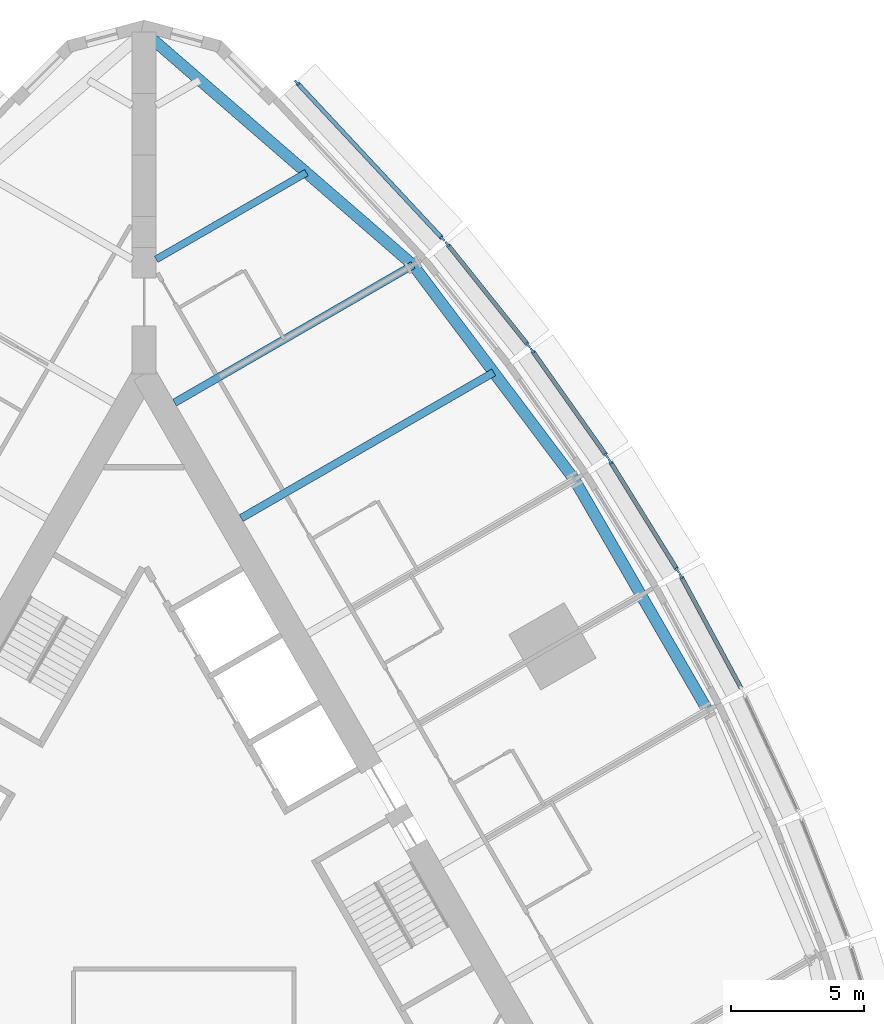
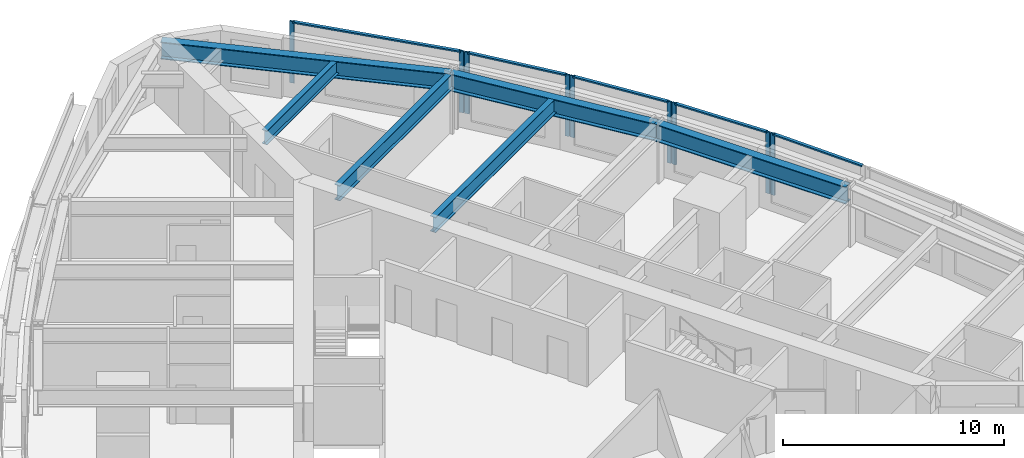
# One storey, part 5 of 14: 14 members, 6 beams, 5 elements without a shape of their own.
"""IFC4 building model written with IfcOpenShell, lengths in metres."""

from ifc_helpers import new_model, si_unit, direction, frame, origin, origin_2d, place, context, subcontext, project, spatial, rectangle, i_section, extrude, material, material_profile, profile_set, type_object, element, aggregate, save


model = new_model("IFC4")

# Units and contexts
model_context = context("Model", 3, precision=1e-05, world=origin(), true_north=direction((0.0, 1.0)))
body_context = subcontext(model_context, "Body", "Model", "MODEL_VIEW")
ifc_project = project(units=[si_unit("LENGTHUNIT", "METRE"), si_unit("AREAUNIT", "SQUARE_METRE"), si_unit("VOLUMEUNIT", "CUBIC_METRE"), si_unit("PLANEANGLEUNIT", "RADIAN"), si_unit("MASSUNIT", "GRAM", prefix="KILO")], contexts=[model_context])

# Site, building, storey
site_placement = place(None, origin())
site = spatial("IfcSite", under=ifc_project, at=site_placement, CompositionType="ELEMENT")
building_placement = place(site_placement, origin())
building = spatial("IfcBuilding", under=site, at=building_placement, Name="Trikona Tower", CompositionType="ELEMENT")
storey_placement = place(building_placement, frame((0.0, 0.0, 65.89990234375)))
storey = spatial("IfcBuildingStorey", under=building, at=storey_placement, Name="L16", CompositionType="ELEMENT", Elevation=65.89990234375)

# Curtain wall, member
ifc_material_1 = material(Name="Aluminium curtain wall system", Category="aluminium")
curtain_wall_type = type_object("IfcCurtainWallType", Name="Curtain wall DS1", PredefinedType="NOTDEFINED", material=ifc_material_1)
curtain_wall_1_placement = place(storey_placement, origin())
curtain_wall_1 = element("IfcCurtainWall", 1, at=curtain_wall_1_placement, inside=storey, type_object=curtain_wall_type, Name="Curtain wall DS1 L16", PredefinedType="NOTDEFINED")
ifc_material_2 = material(Name="Aluminium mullion, pale anodised", Category="aluminium")
ifc_material_profile_1 = material_profile(ifc_material_2, rectangle(XDim=0.080078125, YDim=0.219970703125, at=origin_2d()), Name="MUL-DS1")
ifc_profile_set_1 = profile_set([ifc_material_profile_1], Name="Aluminium mullion, pale anodised")
member_type_1 = type_object("IfcMemberType", Name="Mullion DS1 80x220", PredefinedType="MULLION", material=ifc_profile_set_1)
member_1_placement = place(storey_placement, frame((20.128662109375, 11.474365234375, 0.0), z_axis=(0.0, 0.0, 1.0), x_axis=(-0.880843080975, -0.473408350896, 0.0)))
member_1 = element("IfcMember", 2, at=member_1_placement, type_object=member_type_1, Name="CW-DS1 mullion 2", PredefinedType="MULLION", context=body_context, shape_type="SweptSolid", body=[
    extrude(rectangle(XDim=0.080078125, YDim=0.219970703125, at=origin_2d()), origin(), (0.0, 0.0, 1.0), 3.400146484375),
])

# Curtain wall, members
curtain_wall_2_placement = place(storey_placement, origin())
curtain_wall_2 = element("IfcCurtainWall", 3, at=curtain_wall_2_placement, inside=storey, type_object=curtain_wall_type, Name="Curtain wall DS1 L16", PredefinedType="NOTDEFINED")
member_2_placement = place(storey_placement, frame((20.00146484375, 11.69482421875, 0.0), z_axis=(0.0, 0.0, 1.0), x_axis=(-0.850410468941, -0.526119790842, 0.0)))
member_2 = element("IfcMember", 4, at=member_2_placement, type_object=member_type_1, Name="CW-DS1 mullion 1", PredefinedType="MULLION", context=body_context, shape_type="SweptSolid", body=[
    extrude(rectangle(XDim=0.080078125, YDim=0.219970703125, at=origin_2d()), origin(), (0.0, 0.0, 1.0), 3.400146484375),
])
member_3_placement = place(storey_placement, frame((17.474853515625, 15.77880859375, 0.0), z_axis=(0.0, 0.0, 1.0), x_axis=(-0.850410468941, -0.526119790842, 0.0)))
member_3 = element("IfcMember", 5, at=member_3_placement, type_object=member_type_1, Name="CW-DS1 mullion 2", PredefinedType="MULLION", context=body_context, shape_type="SweptSolid", body=[
    extrude(rectangle(XDim=0.080078125, YDim=0.219970703125, at=origin_2d()), origin(), (0.0, 0.0, 1.0), 3.400146484375),
])

curtain_wall_3_placement = place(storey_placement, origin())
curtain_wall_3 = element("IfcCurtainWall", 6, at=curtain_wall_3_placement, inside=storey, type_object=curtain_wall_type, Name="Curtain wall DS1 L16", PredefinedType="NOTDEFINED")
member_4_placement = place(storey_placement, frame((17.33447265625, 15.990966796875, 0.0), z_axis=(0.0, 0.0, 1.0), x_axis=(-0.816985393055, -0.576658362928, 0.0)))
member_4 = element("IfcMember", 7, at=member_4_placement, type_object=member_type_1, Name="CW-DS1 mullion 1", PredefinedType="MULLION", context=body_context, shape_type="SweptSolid", body=[
    extrude(rectangle(XDim=0.080078125, YDim=0.219970703125, at=origin_2d()), origin(), (0.0, 0.0, 1.0), 3.400146484375),
])
member_5_placement = place(storey_placement, frame((14.554443359375, 19.929443359375, 0.0), z_axis=(0.0, 0.0, 1.0), x_axis=(-0.816985393055, -0.576658362928, 0.0)))
member_5 = element("IfcMember", 8, at=member_5_placement, type_object=member_type_1, Name="CW-DS1 mullion 2", PredefinedType="MULLION", context=body_context, shape_type="SweptSolid", body=[
    extrude(rectangle(XDim=0.080078125, YDim=0.219970703125, at=origin_2d()), origin(), (0.0, 0.0, 1.0), 3.400146484375),
])

curtain_wall_4_placement = place(storey_placement, origin())
curtain_wall_4 = element("IfcCurtainWall", 9, at=curtain_wall_4_placement, inside=storey, type_object=curtain_wall_type, Name="Curtain wall DS1 L16", PredefinedType="NOTDEFINED")
member_6_placement = place(storey_placement, frame((14.40185546875, 20.13232421875, 0.0), z_axis=(0.0, 0.0, 1.0), x_axis=(-0.780937959679, -0.624608599951, 0.0)))
member_6 = element("IfcMember", 10, at=member_6_placement, type_object=member_type_1, Name="CW-DS1 mullion 1", PredefinedType="MULLION", context=body_context, shape_type="SweptSolid", body=[
    extrude(rectangle(XDim=0.080078125, YDim=0.219970703125, at=origin_2d()), origin(), (0.0, 0.0, 1.0), 3.400146484375),
])
member_7_placement = place(storey_placement, frame((11.36767578125, 23.926025390625, 0.0), z_axis=(0.0, 0.0, 1.0), x_axis=(-0.780937959679, -0.624608599951, 0.0)))
member_7 = element("IfcMember", 11, at=member_7_placement, type_object=member_type_1, Name="CW-DS1 mullion 2", PredefinedType="MULLION", context=body_context, shape_type="SweptSolid", body=[
    extrude(rectangle(XDim=0.080078125, YDim=0.219970703125, at=origin_2d()), origin(), (0.0, 0.0, 1.0), 3.400146484375),
])

curtain_wall_5_placement = place(storey_placement, origin())
curtain_wall_5 = element("IfcCurtainWall", 12, at=curtain_wall_5_placement, inside=storey, type_object=curtain_wall_type, Name="Curtain wall DS1 L16", PredefinedType="NOTDEFINED")
member_8_placement = place(storey_placement, frame((11.192138671875, 24.129150390625, 0.0), z_axis=(0.0, 0.0, 1.0), x_axis=(-0.731076639405, -0.682295351967, 0.0)))
member_8 = element("IfcMember", 13, at=member_8_placement, type_object=member_type_1, Name="CW-DS1 mullion 1", PredefinedType="MULLION", context=body_context, shape_type="SweptSolid", body=[
    extrude(rectangle(XDim=0.080078125, YDim=0.219970703125, at=origin_2d()), origin(), (0.0, 0.0, 1.0), 3.400146484375),
])
member_9_placement = place(storey_placement, frame((5.72607421875, 29.98583984375, 0.0), z_axis=(0.0, 0.0, 1.0), x_axis=(-0.731076639405, -0.682295351967, 0.0)))
member_9 = element("IfcMember", 14, at=member_9_placement, type_object=member_type_1, Name="CW-DS1 mullion 2", PredefinedType="MULLION", context=body_context, shape_type="SweptSolid", body=[
    extrude(rectangle(XDim=0.080078125, YDim=0.219970703125, at=origin_2d()), origin(), (0.0, 0.0, 1.0), 3.400146484375),
])

# Beams
ifc_material_3 = material(Name="Steel ASTM A992 Grade 50", Category="steel")
ifc_material_profile_2 = material_profile(ifc_material_3, i_section(OverallWidth=0.2666015625, OverallDepth=0.76953125, WebThickness=0.015625, FlangeThickness=0.025390625, at=origin_2d()), Name="W30X132")
ifc_profile_set_2 = profile_set([ifc_material_profile_2], Name="Steel ASTM A992 Grade 50")
beam_type_1 = type_object("IfcBeamType", Name="Steel beam W30x132 (wedge)", PredefinedType="BEAM", material=ifc_profile_set_2)
beam_1_placement = place(storey_placement, frame((0.449951171875, 23.353759765625, 2.850341796875), z_axis=(0.866022504693, 0.50000502134, 0.0), x_axis=(-0.50000502134, 0.866022504693, 0.0)))
element("IfcBeam", 15, at=beam_1_placement, inside=storey, type_object=beam_type_1, Name="Floor beam L17 F2 u20", PredefinedType="BEAM", context=body_context, shape_type="SweptSolid", body=[
    extrude(i_section(OverallWidth=0.2666015625, OverallDepth=0.76953125, WebThickness=0.015625, FlangeThickness=0.025390625, at=origin_2d()), origin(), (0.0, 0.0, 1.0), 6.5068359375),
])
ifc_material_4 = material(Name="Steel ASTM A992 Grade 50", Category="steel")
ifc_material_profile_3 = material_profile(ifc_material_4, i_section(OverallWidth=0.2919921875, OverallDepth=0.845703125, WebThickness=0.015380859375, FlangeThickness=0.0244140625, at=origin_2d()), Name="W33X141")
ifc_profile_set_3 = profile_set([ifc_material_profile_3], Name="Steel ASTM A992 Grade 50")
beam_type_2 = type_object("IfcBeamType", Name="Steel beam W33x141 (radial typ)", PredefinedType="BEAM", material=ifc_profile_set_3)
beam_2_placement = place(storey_placement, frame((3.6396484375, 13.6484375, 2.812255859375), z_axis=(0.866025348605, 0.500000095573, 0.0), x_axis=(-0.500000095573, 0.866025348605, 0.0)))
element("IfcBeam", 16, at=beam_2_placement, inside=storey, type_object=beam_type_2, Name="Floor beam L17 F2 u10", PredefinedType="BEAM", context=body_context, shape_type="SweptSolid", body=[
    extrude(i_section(OverallWidth=0.2919921875, OverallDepth=0.845703125, WebThickness=0.015380859375, FlangeThickness=0.0244140625, at=origin_2d()), origin(), (0.0, 0.0, 1.0), 10.935546875),
])
beam_3_placement = place(storey_placement, frame((1.1396484375, 17.978515625, 2.812255859375), z_axis=(0.866030471684, 0.499991222037, 0.0), x_axis=(-0.499991222037, 0.866030471684, 0.0)))
element("IfcBeam", 17, at=beam_3_placement, inside=storey, type_object=beam_type_2, Name="Floor beam L17 F2 u15", PredefinedType="BEAM", context=body_context, shape_type="SweptSolid", body=[
    extrude(i_section(OverallWidth=0.2919921875, OverallDepth=0.845703125, WebThickness=0.015380859375, FlangeThickness=0.0244140625, at=origin_2d()), origin(), (0.0, 0.0, 1.0), 10.326904296875),
])
ifc_material_5 = material(Name="Steel ASTM A992 Grade 50", Category="steel")
ifc_material_profile_4 = material_profile(ifc_material_5, i_section(OverallWidth=0.424072265625, OverallDepth=0.947509765625, WebThickness=0.02392578125, FlangeThickness=0.042724609375, at=origin_2d()), Name="W36X302")
ifc_profile_set_4 = profile_set([ifc_material_profile_4], Name="Steel ASTM A992 Grade 50")
beam_type_3 = type_object("IfcBeamType", Name="Steel beam W36x302 (spandrel)", PredefinedType="SPANDREL", material=ifc_profile_set_4)
beam_4_placement = place(storey_placement, frame((21.13720703125, 6.43017578125, 2.761474609375), z_axis=(-0.500004234368, 0.866022959057, 0.0), x_axis=(-0.866022959057, -0.500004234368, 0.0)))
element("IfcBeam", 18, at=beam_4_placement, inside=storey, type_object=beam_type_3, Name="Spandrel beam L17 F2-3", PredefinedType="SPANDREL", context=body_context, shape_type="SweptSolid", body=[
    extrude(i_section(OverallWidth=0.424072265625, OverallDepth=0.947509765625, WebThickness=0.02392578125, FlangeThickness=0.042724609375, at=origin_2d()), origin(), (0.0, 0.0, 1.0), 10.0),
])
beam_5_placement = place(storey_placement, frame((16.13720703125, 15.09033203125, 2.761474609375), z_axis=(-0.600988344191, 0.799257787042, 0.0), x_axis=(-0.799257787042, -0.600988344191, 0.0)))
element("IfcBeam", 19, at=beam_5_placement, inside=storey, type_object=beam_type_3, Name="Spandrel beam L17 F2-4", PredefinedType="SPANDREL", context=body_context, shape_type="SweptSolid", body=[
    extrude(i_section(OverallWidth=0.424072265625, OverallDepth=0.947509765625, WebThickness=0.02392578125, FlangeThickness=0.042724609375, at=origin_2d()), origin(), (0.0, 0.0, 1.0), 10.07373046875),
])
beam_6_placement = place(storey_placement, frame((10.0830078125, 23.141845703125, 2.761474609375), z_axis=(-0.755646822726, 0.654979296851, 0.0), x_axis=(-0.654979296851, -0.755646822726, 0.0)))
element("IfcBeam", 20, at=beam_6_placement, inside=storey, type_object=beam_type_3, Name="Spandrel beam L17 F2-5", PredefinedType="SPANDREL", context=body_context, shape_type="SweptSolid", body=[
    extrude(i_section(OverallWidth=0.424072265625, OverallDepth=0.947509765625, WebThickness=0.02392578125, FlangeThickness=0.042724609375, at=origin_2d()), origin(), (0.0, 0.0, 1.0), 13.343505859375),
])

# Member
ifc_material_6 = material(Name="Aluminium transom, pale anodised", Category="aluminium")
ifc_material_profile_5 = material_profile(ifc_material_6, rectangle(XDim=0.159912109375, YDim=0.080078125, at=origin_2d()), Name="TRN-DS1")
ifc_profile_set_5 = profile_set([ifc_material_profile_5], Name="Aluminium transom, pale anodised")
member_type_2 = type_object("IfcMemberType", Name="Transom DS1 80x160", PredefinedType="USERDEFINED", material=ifc_profile_set_5)
member_10_placement = place(storey_placement, frame((22.38330078125, 7.279541015625, 3.360107421875), z_axis=(-0.473427569755, 0.880832751546, 0.0), x_axis=(-0.880832751546, -0.473427569755, 0.0)))
member_10 = element("IfcMember", 21, at=member_10_placement, type_object=member_type_2, Name="CW-DS1 transom 1.1", ObjectType="TRANSOM", PredefinedType="USERDEFINED", context=body_context, shape_type="SweptSolid", body=[
    extrude(rectangle(XDim=0.159912109375, YDim=0.080078125, at=origin_2d()), origin(), (0.0, 0.0, 1.0), 4.72216796875),
])

aggregate(curtain_wall_1, [member_1, member_10])

member_11_placement = place(storey_placement, frame((19.980224609375, 11.728759765625, 3.360107421875), z_axis=(-0.526080502257, 0.850434774186, 0.0), x_axis=(-0.850434774186, -0.526080502257, 0.0)))
member_11 = element("IfcMember", 22, at=member_11_placement, type_object=member_type_2, Name="CW-DS1 transom 1.1", ObjectType="TRANSOM", PredefinedType="USERDEFINED", context=body_context, shape_type="SweptSolid", body=[
    extrude(rectangle(XDim=0.159912109375, YDim=0.080078125, at=origin_2d()), origin(), (0.0, 0.0, 1.0), 4.722412109375),
])

aggregate(curtain_wall_2, [member_2, member_3, member_11])

member_12_placement = place(storey_placement, frame((17.311279296875, 16.023681640625, 3.360107421875), z_axis=(-0.57664478015, 0.816994980111, 0.0), x_axis=(-0.816994980111, -0.57664478015, 0.0)))
member_12 = element("IfcMember", 23, at=member_12_placement, type_object=member_type_2, Name="CW-DS1 transom 1.1", ObjectType="TRANSOM", PredefinedType="USERDEFINED", context=body_context, shape_type="SweptSolid", body=[
    extrude(rectangle(XDim=0.159912109375, YDim=0.080078125, at=origin_2d()), origin(), (0.0, 0.0, 1.0), 4.740478515625),
])

aggregate(curtain_wall_3, [member_4, member_5, member_12])

member_13_placement = place(storey_placement, frame((14.376953125, 20.16357421875, 3.360107421875), z_axis=(-0.624589103832, 0.780953552636, 0.0), x_axis=(-0.780953552636, -0.624589103832, 0.0)))
member_13 = element("IfcMember", 24, at=member_13_placement, type_object=member_type_2, Name="CW-DS1 transom 1.1", ObjectType="TRANSOM", PredefinedType="USERDEFINED", context=body_context, shape_type="SweptSolid", body=[
    extrude(rectangle(XDim=0.159912109375, YDim=0.080078125, at=origin_2d()), origin(), (0.0, 0.0, 1.0), 4.77783203125),
])

aggregate(curtain_wall_4, [member_6, member_7, member_13])

member_14_placement = place(storey_placement, frame((11.164794921875, 24.158203125, 3.360107421875), z_axis=(-0.682290830921, 0.731080858758, 0.0), x_axis=(-0.731080858758, -0.682290830921, 0.0)))
member_14 = element("IfcMember", 25, at=member_14_placement, type_object=member_type_2, Name="CW-DS1 transom 1.1", ObjectType="TRANSOM", PredefinedType="USERDEFINED", context=body_context, shape_type="SweptSolid", body=[
    extrude(rectangle(XDim=0.159912109375, YDim=0.080078125, at=origin_2d()), origin(), (0.0, 0.0, 1.0), 7.93115234375),
])

aggregate(curtain_wall_5, [member_8, member_9, member_14])

save(model, "model.ifc")
